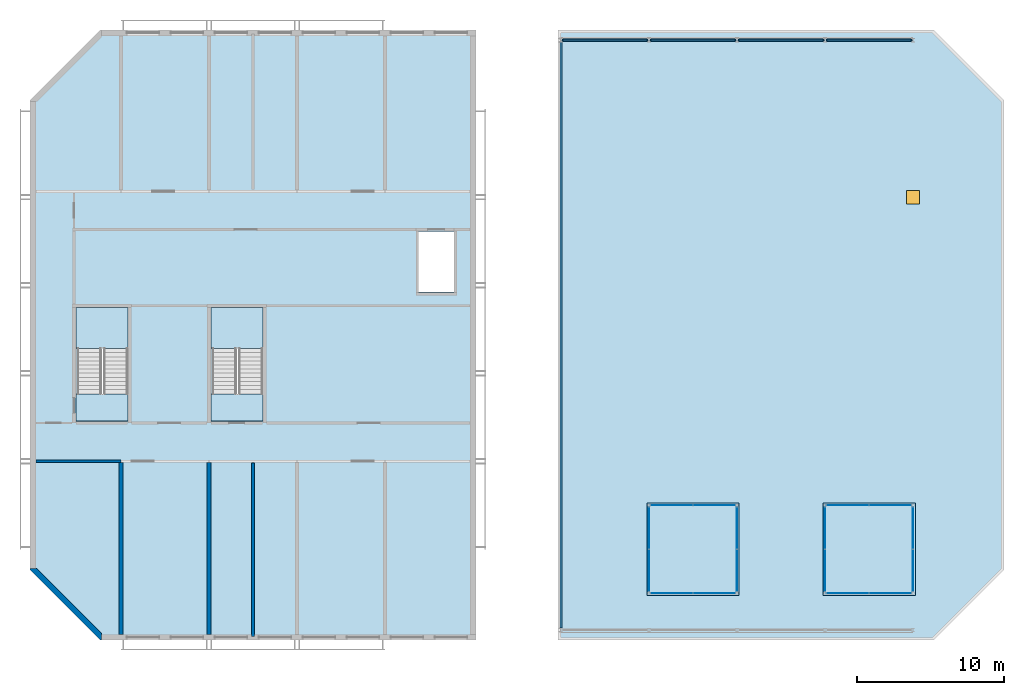
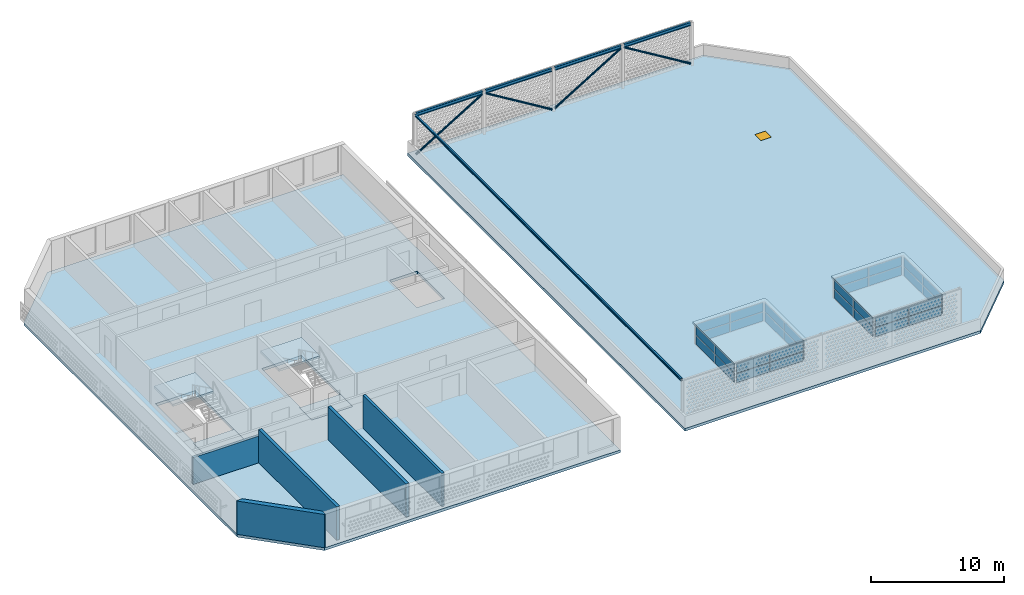
# One storey, part 7 of 18: 32 plates, 8 slabs, 5 beams, 5 walls, 4 members, 1 window, 1 opening, 10 elements without a shape of their own.
"""IFC4 building model written with IfcOpenShell, lengths in metres."""

from ifc_helpers import new_model, si_unit, direction, frame, frame_2d, origin, origin_2d, place, context, subcontext, project, spatial, polyline, rectangle, hollow_circle, i_section, outline, extrude, source, transform, mapped, material, layer, layer_set, material_profile, profile_set, type_object, element, fill, aggregate, save


model = new_model("IFC4")

# Units and contexts
model_context = context("Model", 3, precision=1e-05, world=origin(), true_north=direction((0.0, 1.0)))
body_context = subcontext(model_context, "Body", "Model", "MODEL_VIEW")
ifc_project = project(units=[si_unit("LENGTHUNIT", "METRE"), si_unit("AREAUNIT", "SQUARE_METRE"), si_unit("VOLUMEUNIT", "CUBIC_METRE"), si_unit("PLANEANGLEUNIT", "RADIAN"), si_unit("MASSUNIT", "GRAM", prefix="KILO")], contexts=[model_context])

# Site, building, storey
site_placement = place(None, origin())
site = spatial("IfcSite", under=ifc_project, at=site_placement, CompositionType="ELEMENT")
building_placement = place(site_placement, origin())
building = spatial("IfcBuilding", under=site, at=building_placement, Name="Poui Terraces", CompositionType="ELEMENT")
storey_placement = place(building_placement, frame((0.0, 0.0, 285.60009765625)))
storey = spatial("IfcBuildingStorey", under=building, at=storey_placement, Name="L79 CROWN", CompositionType="ELEMENT", Elevation=285.60009765625)

# Members
ifc_material_1 = material(Name="Steel Grade 350 MPa", Category="steel")
ifc_material_profile_1 = material_profile(ifc_material_1, hollow_circle(Radius=0.084228515625, WallThickness=0.007080078125, at=origin_2d()), Name="168.3x7.1 CHS")
ifc_profile_set_1 = profile_set([ifc_material_profile_1], Name="Steel Grade 350 MPa")
member_type = type_object("IfcMemberType", Name="SCREEN FRAME BRACE 168.3x7.1 CHS", PredefinedType="BRACE", material=ifc_profile_set_1)
for number, where, z_axis, x_axis, name in (
    (1, (54.126953125, 40.699951171875, 0.199951171875), (0.854525101258, 0.0, 0.519410099363), (0.0, 1.0, 0.0), "SCREEN FRAME BRACE N1"),
    (2, (65.873046875, 40.699951171875, 0.199951171875), (-0.854525101258, 0.0, 0.519410099363), (0.0, -1.0, 0.0), "SCREEN FRAME BRACE N2"),
    (3, (66.126953125, 40.699951171875, 0.199951171875), (0.854525101258, 0.0, 0.519410099363), (0.0, 1.0, 0.0), "SCREEN FRAME BRACE N3"),
    (4, (77.873046875, 40.699951171875, 0.199951171875), (-0.854525101258, 0.0, 0.519410099363), (0.0, -1.0, 0.0), "SCREEN FRAME BRACE N4"),
):
    element("IfcMember", number, at=place(storey_placement, frame(where, z_axis=z_axis, x_axis=x_axis)), inside=storey, type_object=member_type, Name=name, PredefinedType="BRACE", context=body_context, shape_type="SweptSolid", body=[
        extrude(hollow_circle(Radius=0.084228515625, WallThickness=0.007080078125, at=origin_2d()), origin(), (0.0, 0.0, 1.0), 6.724365234375),
    ])

# Beams
ifc_material_2 = material(Name="Steel Grade 300 MPa", Category="steel")
ifc_material_profile_2 = material_profile(ifc_material_2, i_section(OverallWidth=0.166015625, OverallDepth=0.30712890625, WebThickness=0.006591796875, FlangeThickness=0.01171875, FilletRadius=0.011474609375, at=origin_2d()), Name="310UB46.2")
ifc_profile_set_2 = profile_set([ifc_material_profile_2], Name="Steel Grade 300 MPa")
beam_type_1 = type_object("IfcBeamType", Name="SCREEN FRAME EDGE BEAM 310UB46.2", PredefinedType="BEAM", material=ifc_profile_set_2)
shared_shape_1 = source(origin(), body_context, "Body", "SweptSolid", [
    extrude(i_section(OverallWidth=0.166015625, OverallDepth=0.30712890625, WebThickness=0.006591796875, FlangeThickness=0.01171875, FilletRadius=0.011474609375, at=origin_2d()), origin(), (0.0, 0.0, 1.0), 5.74609375),
])
for number, where, z_axis, x_axis, name in (
    (5, (54.126953125, 40.699951171875, 3.84619140625), (1.0, 0.0, 0.0), (0.0, 1.0, 0.0), "SCREEN FRAME EDGE BEAM N1"),
    (6, (60.126953125, 40.699951171875, 3.84619140625), (1.0, 0.0, 0.0), (0.0, 1.0, 0.0), "SCREEN FRAME EDGE BEAM N2"),
    (7, (66.126953125, 40.699951171875, 3.84619140625), (1.0, 0.0, 0.0), (0.0, 1.0, 0.0), "SCREEN FRAME EDGE BEAM N3"),
    (8, (72.126953125, 40.699951171875, 3.84619140625), (1.0, 0.0, 0.0), (0.0, 1.0, 0.0), "SCREEN FRAME EDGE BEAM N4"),
):
    element("IfcBeam", number, at=place(storey_placement, frame(where, z_axis=z_axis, x_axis=x_axis)), inside=storey, type_object=beam_type_1, Name=name, PredefinedType="BEAM", context=body_context, shape_type="MappedRepresentation", body=[
        mapped(shared_shape_1, transform((0.0, 0.0, 0.0))),
    ])
ifc_material_profile_3 = material_profile(ifc_material_2, i_section(OverallWidth=0.134033203125, OverallDepth=0.20703125, WebThickness=0.00634765625, FlangeThickness=0.009521484375, FilletRadius=0.0087890625, at=origin_2d()), Name="200UB29.8")
ifc_profile_set_3 = profile_set([ifc_material_profile_3], Name="Steel Grade 300 MPa")
beam_type_2 = type_object("IfcBeamType", Name="SCREEN FRAME END BEAM 200UB29.8", PredefinedType="BEAM", material=ifc_profile_set_3)
shared_shape_2 = source(origin(), body_context, "Body", "SweptSolid", [
    extrude(i_section(OverallWidth=0.134033203125, OverallDepth=0.20703125, WebThickness=0.00634765625, FlangeThickness=0.009521484375, FilletRadius=0.0087890625, at=origin_2d()), origin(), (0.0, 0.0, 1.0), 39.946044921875),
])
beam_placement = place(storey_placement, frame((54.0, 0.626953125, 3.896484375), z_axis=(0.0, 1.0, 0.0), x_axis=(-1.0, 0.0, 0.0)))
element("IfcBeam", 9, at=beam_placement, inside=storey, type_object=beam_type_2, Name="SCREEN FRAME END BEAM 10", PredefinedType="BEAM", context=body_context, shape_type="MappedRepresentation", body=[
    mapped(shared_shape_2, transform((0.0, 0.0, 0.0))),
])

# Curtain wall, plates
ifc_material_3 = material(Name="Clear glass", Category="glass")
ifc_layer_1 = layer(ifc_material_3, 0.1201171875)
ifc_layer_set_1 = layer_set([ifc_layer_1], Name="Clear glass")
curtain_wall_type = type_object("IfcCurtainWallType", Name="CURTAIN WALL CW-F LANTERN GLAZING", PredefinedType="NOTDEFINED", material=ifc_layer_set_1)
curtain_wall_1_placement = place(storey_placement, origin())
curtain_wall_1 = element("IfcCurtainWall", 10, at=curtain_wall_1_placement, inside=storey, type_object=curtain_wall_type, Name="CW-F LANTERN GLAZING", PredefinedType="NOTDEFINED")
ifc_layer_2 = layer(ifc_material_3, 0.02392578125)
ifc_layer_set_2 = layer_set([ifc_layer_2], Name="Clear glass")
plate_type = type_object("IfcPlateType", Name="CW-F GLASS PANEL 24", PredefinedType="CURTAIN_PANEL", material=ifc_layer_set_2)
plate_1_placement = place(storey_placement, frame((61.550048828125, 3.0, 0.0498046875), z_axis=(0.0, 0.0, 1.0), x_axis=(1.0, 0.0, 0.0)))
plate_1 = element("IfcPlate", 11, at=plate_1_placement, type_object=plate_type, Name="CW-F panel 1.1", PredefinedType="CURTAIN_PANEL", context=body_context, shape_type="SweptSolid", body=[
    extrude(rectangle(XDim=2.85009765625, YDim=0.02392578125, at=origin_2d()), origin(), (0.0, 0.0, 1.0), 0.824951171875),
])
plate_2_placement = place(storey_placement, frame((61.550048828125, 3.0, 0.9248046875), z_axis=(0.0, 0.0, 1.0), x_axis=(1.0, 0.0, 0.0)))
plate_2 = element("IfcPlate", 12, at=plate_2_placement, type_object=plate_type, Name="CW-F panel 1.2", PredefinedType="CURTAIN_PANEL", context=body_context, shape_type="SweptSolid", body=[
    extrude(rectangle(XDim=2.85009765625, YDim=0.02392578125, at=origin_2d()), origin(), (0.0, 0.0, 1.0), 0.824951171875),
])
plate_3_placement = place(storey_placement, frame((64.449951171875, 3.0, 0.0498046875), z_axis=(0.0, 0.0, 1.0), x_axis=(1.0, 0.0, 0.0)))
plate_3 = element("IfcPlate", 13, at=plate_3_placement, type_object=plate_type, Name="CW-F panel 2.1", PredefinedType="CURTAIN_PANEL", context=body_context, shape_type="SweptSolid", body=[
    extrude(rectangle(XDim=2.85009765625, YDim=0.02392578125, at=origin_2d()), origin(), (0.0, 0.0, 1.0), 0.824951171875),
])
plate_4_placement = place(storey_placement, frame((64.449951171875, 3.0, 0.9248046875), z_axis=(0.0, 0.0, 1.0), x_axis=(1.0, 0.0, 0.0)))
plate_4 = element("IfcPlate", 14, at=plate_4_placement, type_object=plate_type, Name="CW-F panel 2.2", PredefinedType="CURTAIN_PANEL", context=body_context, shape_type="SweptSolid", body=[
    extrude(rectangle(XDim=2.85009765625, YDim=0.02392578125, at=origin_2d()), origin(), (0.0, 0.0, 1.0), 0.824951171875),
])
aggregate(curtain_wall_1, [plate_1, plate_2, plate_3, plate_4])

curtain_wall_2_placement = place(storey_placement, origin())
curtain_wall_2 = element("IfcCurtainWall", 15, at=curtain_wall_2_placement, inside=storey, type_object=curtain_wall_type, Name="CW-F LANTERN GLAZING", PredefinedType="NOTDEFINED")
plate_5_placement = place(storey_placement, frame((64.449951171875, 9.0, 0.0498046875), z_axis=(0.0, 0.0, 1.0), x_axis=(-1.0, 0.0, 0.0)))
plate_5 = element("IfcPlate", 16, at=plate_5_placement, type_object=plate_type, Name="CW-F panel 1.1", PredefinedType="CURTAIN_PANEL", context=body_context, shape_type="SweptSolid", body=[
    extrude(rectangle(XDim=2.85009765625, YDim=0.02392578125, at=origin_2d()), origin(), (0.0, 0.0, 1.0), 0.824951171875),
])
plate_6_placement = place(storey_placement, frame((64.449951171875, 9.0, 0.9248046875), z_axis=(0.0, 0.0, 1.0), x_axis=(-1.0, 0.0, 0.0)))
plate_6 = element("IfcPlate", 17, at=plate_6_placement, type_object=plate_type, Name="CW-F panel 1.2", PredefinedType="CURTAIN_PANEL", context=body_context, shape_type="SweptSolid", body=[
    extrude(rectangle(XDim=2.85009765625, YDim=0.02392578125, at=origin_2d()), origin(), (0.0, 0.0, 1.0), 0.824951171875),
])
plate_7_placement = place(storey_placement, frame((61.550048828125, 9.0, 0.0498046875), z_axis=(0.0, 0.0, 1.0), x_axis=(-1.0, 0.0, 0.0)))
plate_7 = element("IfcPlate", 18, at=plate_7_placement, type_object=plate_type, Name="CW-F panel 2.1", PredefinedType="CURTAIN_PANEL", context=body_context, shape_type="SweptSolid", body=[
    extrude(rectangle(XDim=2.85009765625, YDim=0.02392578125, at=origin_2d()), origin(), (0.0, 0.0, 1.0), 0.824951171875),
])
plate_8_placement = place(storey_placement, frame((61.550048828125, 9.0, 0.9248046875), z_axis=(0.0, 0.0, 1.0), x_axis=(-1.0, 0.0, 0.0)))
plate_8 = element("IfcPlate", 19, at=plate_8_placement, type_object=plate_type, Name="CW-F panel 2.2", PredefinedType="CURTAIN_PANEL", context=body_context, shape_type="SweptSolid", body=[
    extrude(rectangle(XDim=2.85009765625, YDim=0.02392578125, at=origin_2d()), origin(), (0.0, 0.0, 1.0), 0.824951171875),
])
aggregate(curtain_wall_2, [plate_5, plate_6, plate_7, plate_8])

curtain_wall_3_placement = place(storey_placement, origin())
curtain_wall_3 = element("IfcCurtainWall", 20, at=curtain_wall_3_placement, inside=storey, type_object=curtain_wall_type, Name="CW-F LANTERN GLAZING", PredefinedType="NOTDEFINED")
plate_9_placement = place(storey_placement, frame((66.0, 4.550048828125, 0.0498046875), z_axis=(0.0, 0.0, 1.0), x_axis=(0.0, 1.0, 0.0)))
plate_9 = element("IfcPlate", 21, at=plate_9_placement, type_object=plate_type, Name="CW-F panel 1.1", PredefinedType="CURTAIN_PANEL", context=body_context, shape_type="SweptSolid", body=[
    extrude(rectangle(XDim=2.85009765625, YDim=0.02392578125, at=origin_2d()), origin(), (0.0, 0.0, 1.0), 0.824951171875),
])
plate_10_placement = place(storey_placement, frame((66.0, 4.550048828125, 0.9248046875), z_axis=(0.0, 0.0, 1.0), x_axis=(0.0, 1.0, 0.0)))
plate_10 = element("IfcPlate", 22, at=plate_10_placement, type_object=plate_type, Name="CW-F panel 1.2", PredefinedType="CURTAIN_PANEL", context=body_context, shape_type="SweptSolid", body=[
    extrude(rectangle(XDim=2.85009765625, YDim=0.02392578125, at=origin_2d()), origin(), (0.0, 0.0, 1.0), 0.824951171875),
])
plate_11_placement = place(storey_placement, frame((66.0, 7.449951171875, 0.0498046875), z_axis=(0.0, 0.0, 1.0), x_axis=(0.0, 1.0, 0.0)))
plate_11 = element("IfcPlate", 23, at=plate_11_placement, type_object=plate_type, Name="CW-F panel 2.1", PredefinedType="CURTAIN_PANEL", context=body_context, shape_type="SweptSolid", body=[
    extrude(rectangle(XDim=2.85009765625, YDim=0.02392578125, at=origin_2d()), origin(), (0.0, 0.0, 1.0), 0.824951171875),
])
plate_12_placement = place(storey_placement, frame((66.0, 7.449951171875, 0.9248046875), z_axis=(0.0, 0.0, 1.0), x_axis=(0.0, 1.0, 0.0)))
plate_12 = element("IfcPlate", 24, at=plate_12_placement, type_object=plate_type, Name="CW-F panel 2.2", PredefinedType="CURTAIN_PANEL", context=body_context, shape_type="SweptSolid", body=[
    extrude(rectangle(XDim=2.85009765625, YDim=0.02392578125, at=origin_2d()), origin(), (0.0, 0.0, 1.0), 0.824951171875),
])
aggregate(curtain_wall_3, [plate_9, plate_10, plate_11, plate_12])

curtain_wall_4_placement = place(storey_placement, origin())
curtain_wall_4 = element("IfcCurtainWall", 25, at=curtain_wall_4_placement, inside=storey, type_object=curtain_wall_type, Name="CW-F LANTERN GLAZING", PredefinedType="NOTDEFINED")
plate_13_placement = place(storey_placement, frame((60.0, 7.449951171875, 0.0498046875), z_axis=(0.0, 0.0, 1.0), x_axis=(0.0, -1.0, 0.0)))
plate_13 = element("IfcPlate", 26, at=plate_13_placement, type_object=plate_type, Name="CW-F panel 1.1", PredefinedType="CURTAIN_PANEL", context=body_context, shape_type="SweptSolid", body=[
    extrude(rectangle(XDim=2.85009765625, YDim=0.02392578125, at=origin_2d()), origin(), (0.0, 0.0, 1.0), 0.824951171875),
])
plate_14_placement = place(storey_placement, frame((60.0, 7.449951171875, 0.9248046875), z_axis=(0.0, 0.0, 1.0), x_axis=(0.0, -1.0, 0.0)))
plate_14 = element("IfcPlate", 27, at=plate_14_placement, type_object=plate_type, Name="CW-F panel 1.2", PredefinedType="CURTAIN_PANEL", context=body_context, shape_type="SweptSolid", body=[
    extrude(rectangle(XDim=2.85009765625, YDim=0.02392578125, at=origin_2d()), origin(), (0.0, 0.0, 1.0), 0.824951171875),
])
plate_15_placement = place(storey_placement, frame((60.0, 4.550048828125, 0.0498046875), z_axis=(0.0, 0.0, 1.0), x_axis=(0.0, -1.0, 0.0)))
plate_15 = element("IfcPlate", 28, at=plate_15_placement, type_object=plate_type, Name="CW-F panel 2.1", PredefinedType="CURTAIN_PANEL", context=body_context, shape_type="SweptSolid", body=[
    extrude(rectangle(XDim=2.85009765625, YDim=0.02392578125, at=origin_2d()), origin(), (0.0, 0.0, 1.0), 0.824951171875),
])
plate_16_placement = place(storey_placement, frame((60.0, 4.550048828125, 0.9248046875), z_axis=(0.0, 0.0, 1.0), x_axis=(0.0, -1.0, 0.0)))
plate_16 = element("IfcPlate", 29, at=plate_16_placement, type_object=plate_type, Name="CW-F panel 2.2", PredefinedType="CURTAIN_PANEL", context=body_context, shape_type="SweptSolid", body=[
    extrude(rectangle(XDim=2.85009765625, YDim=0.02392578125, at=origin_2d()), origin(), (0.0, 0.0, 1.0), 0.824951171875),
])
aggregate(curtain_wall_4, [plate_13, plate_14, plate_15, plate_16])

curtain_wall_5_placement = place(storey_placement, origin())
curtain_wall_5 = element("IfcCurtainWall", 30, at=curtain_wall_5_placement, inside=storey, type_object=curtain_wall_type, Name="CW-F LANTERN GLAZING", PredefinedType="NOTDEFINED")
plate_17_placement = place(storey_placement, frame((73.550048828125, 3.0, 0.0498046875), z_axis=(0.0, 0.0, 1.0), x_axis=(1.0, 0.0, 0.0)))
plate_17 = element("IfcPlate", 31, at=plate_17_placement, type_object=plate_type, Name="CW-F panel 1.1", PredefinedType="CURTAIN_PANEL", context=body_context, shape_type="SweptSolid", body=[
    extrude(rectangle(XDim=2.85009765625, YDim=0.02392578125, at=origin_2d()), origin(), (0.0, 0.0, 1.0), 0.824951171875),
])
plate_18_placement = place(storey_placement, frame((73.550048828125, 3.0, 0.9248046875), z_axis=(0.0, 0.0, 1.0), x_axis=(1.0, 0.0, 0.0)))
plate_18 = element("IfcPlate", 32, at=plate_18_placement, type_object=plate_type, Name="CW-F panel 1.2", PredefinedType="CURTAIN_PANEL", context=body_context, shape_type="SweptSolid", body=[
    extrude(rectangle(XDim=2.85009765625, YDim=0.02392578125, at=origin_2d()), origin(), (0.0, 0.0, 1.0), 0.824951171875),
])
plate_19_placement = place(storey_placement, frame((76.449951171875, 3.0, 0.0498046875), z_axis=(0.0, 0.0, 1.0), x_axis=(1.0, 0.0, 0.0)))
plate_19 = element("IfcPlate", 33, at=plate_19_placement, type_object=plate_type, Name="CW-F panel 2.1", PredefinedType="CURTAIN_PANEL", context=body_context, shape_type="SweptSolid", body=[
    extrude(rectangle(XDim=2.85009765625, YDim=0.02392578125, at=origin_2d()), origin(), (0.0, 0.0, 1.0), 0.824951171875),
])
plate_20_placement = place(storey_placement, frame((76.449951171875, 3.0, 0.9248046875), z_axis=(0.0, 0.0, 1.0), x_axis=(1.0, 0.0, 0.0)))
plate_20 = element("IfcPlate", 34, at=plate_20_placement, type_object=plate_type, Name="CW-F panel 2.2", PredefinedType="CURTAIN_PANEL", context=body_context, shape_type="SweptSolid", body=[
    extrude(rectangle(XDim=2.85009765625, YDim=0.02392578125, at=origin_2d()), origin(), (0.0, 0.0, 1.0), 0.824951171875),
])
aggregate(curtain_wall_5, [plate_17, plate_18, plate_19, plate_20])

curtain_wall_6_placement = place(storey_placement, origin())
curtain_wall_6 = element("IfcCurtainWall", 35, at=curtain_wall_6_placement, inside=storey, type_object=curtain_wall_type, Name="CW-F LANTERN GLAZING", PredefinedType="NOTDEFINED")
plate_21_placement = place(storey_placement, frame((76.449951171875, 9.0, 0.0498046875), z_axis=(0.0, 0.0, 1.0), x_axis=(-1.0, 0.0, 0.0)))
plate_21 = element("IfcPlate", 36, at=plate_21_placement, type_object=plate_type, Name="CW-F panel 1.1", PredefinedType="CURTAIN_PANEL", context=body_context, shape_type="SweptSolid", body=[
    extrude(rectangle(XDim=2.85009765625, YDim=0.02392578125, at=origin_2d()), origin(), (0.0, 0.0, 1.0), 0.824951171875),
])
plate_22_placement = place(storey_placement, frame((76.449951171875, 9.0, 0.9248046875), z_axis=(0.0, 0.0, 1.0), x_axis=(-1.0, 0.0, 0.0)))
plate_22 = element("IfcPlate", 37, at=plate_22_placement, type_object=plate_type, Name="CW-F panel 1.2", PredefinedType="CURTAIN_PANEL", context=body_context, shape_type="SweptSolid", body=[
    extrude(rectangle(XDim=2.85009765625, YDim=0.02392578125, at=origin_2d()), origin(), (0.0, 0.0, 1.0), 0.824951171875),
])
plate_23_placement = place(storey_placement, frame((73.550048828125, 9.0, 0.0498046875), z_axis=(0.0, 0.0, 1.0), x_axis=(-1.0, 0.0, 0.0)))
plate_23 = element("IfcPlate", 38, at=plate_23_placement, type_object=plate_type, Name="CW-F panel 2.1", PredefinedType="CURTAIN_PANEL", context=body_context, shape_type="SweptSolid", body=[
    extrude(rectangle(XDim=2.85009765625, YDim=0.02392578125, at=origin_2d()), origin(), (0.0, 0.0, 1.0), 0.824951171875),
])
plate_24_placement = place(storey_placement, frame((73.550048828125, 9.0, 0.9248046875), z_axis=(0.0, 0.0, 1.0), x_axis=(-1.0, 0.0, 0.0)))
plate_24 = element("IfcPlate", 39, at=plate_24_placement, type_object=plate_type, Name="CW-F panel 2.2", PredefinedType="CURTAIN_PANEL", context=body_context, shape_type="SweptSolid", body=[
    extrude(rectangle(XDim=2.85009765625, YDim=0.02392578125, at=origin_2d()), origin(), (0.0, 0.0, 1.0), 0.824951171875),
])
aggregate(curtain_wall_6, [plate_21, plate_22, plate_23, plate_24])

curtain_wall_7_placement = place(storey_placement, origin())
curtain_wall_7 = element("IfcCurtainWall", 40, at=curtain_wall_7_placement, inside=storey, type_object=curtain_wall_type, Name="CW-F LANTERN GLAZING", PredefinedType="NOTDEFINED")
plate_25_placement = place(storey_placement, frame((78.0, 4.550048828125, 0.0498046875), z_axis=(0.0, 0.0, 1.0), x_axis=(0.0, 1.0, 0.0)))
plate_25 = element("IfcPlate", 41, at=plate_25_placement, type_object=plate_type, Name="CW-F panel 1.1", PredefinedType="CURTAIN_PANEL", context=body_context, shape_type="SweptSolid", body=[
    extrude(rectangle(XDim=2.85009765625, YDim=0.02392578125, at=origin_2d()), origin(), (0.0, 0.0, 1.0), 0.824951171875),
])
plate_26_placement = place(storey_placement, frame((78.0, 4.550048828125, 0.9248046875), z_axis=(0.0, 0.0, 1.0), x_axis=(0.0, 1.0, 0.0)))
plate_26 = element("IfcPlate", 42, at=plate_26_placement, type_object=plate_type, Name="CW-F panel 1.2", PredefinedType="CURTAIN_PANEL", context=body_context, shape_type="SweptSolid", body=[
    extrude(rectangle(XDim=2.85009765625, YDim=0.02392578125, at=origin_2d()), origin(), (0.0, 0.0, 1.0), 0.824951171875),
])
plate_27_placement = place(storey_placement, frame((78.0, 7.449951171875, 0.0498046875), z_axis=(0.0, 0.0, 1.0), x_axis=(0.0, 1.0, 0.0)))
plate_27 = element("IfcPlate", 43, at=plate_27_placement, type_object=plate_type, Name="CW-F panel 2.1", PredefinedType="CURTAIN_PANEL", context=body_context, shape_type="SweptSolid", body=[
    extrude(rectangle(XDim=2.85009765625, YDim=0.02392578125, at=origin_2d()), origin(), (0.0, 0.0, 1.0), 0.824951171875),
])
plate_28_placement = place(storey_placement, frame((78.0, 7.449951171875, 0.9248046875), z_axis=(0.0, 0.0, 1.0), x_axis=(0.0, 1.0, 0.0)))
plate_28 = element("IfcPlate", 44, at=plate_28_placement, type_object=plate_type, Name="CW-F panel 2.2", PredefinedType="CURTAIN_PANEL", context=body_context, shape_type="SweptSolid", body=[
    extrude(rectangle(XDim=2.85009765625, YDim=0.02392578125, at=origin_2d()), origin(), (0.0, 0.0, 1.0), 0.824951171875),
])
aggregate(curtain_wall_7, [plate_25, plate_26, plate_27, plate_28])

curtain_wall_8_placement = place(storey_placement, origin())
curtain_wall_8 = element("IfcCurtainWall", 45, at=curtain_wall_8_placement, inside=storey, type_object=curtain_wall_type, Name="CW-F LANTERN GLAZING", PredefinedType="NOTDEFINED")
plate_29_placement = place(storey_placement, frame((72.0, 7.449951171875, 0.0498046875), z_axis=(0.0, 0.0, 1.0), x_axis=(0.0, -1.0, 0.0)))
plate_29 = element("IfcPlate", 46, at=plate_29_placement, type_object=plate_type, Name="CW-F panel 1.1", PredefinedType="CURTAIN_PANEL", context=body_context, shape_type="SweptSolid", body=[
    extrude(rectangle(XDim=2.85009765625, YDim=0.02392578125, at=origin_2d()), origin(), (0.0, 0.0, 1.0), 0.824951171875),
])
plate_30_placement = place(storey_placement, frame((72.0, 7.449951171875, 0.9248046875), z_axis=(0.0, 0.0, 1.0), x_axis=(0.0, -1.0, 0.0)))
plate_30 = element("IfcPlate", 47, at=plate_30_placement, type_object=plate_type, Name="CW-F panel 1.2", PredefinedType="CURTAIN_PANEL", context=body_context, shape_type="SweptSolid", body=[
    extrude(rectangle(XDim=2.85009765625, YDim=0.02392578125, at=origin_2d()), origin(), (0.0, 0.0, 1.0), 0.824951171875),
])
plate_31_placement = place(storey_placement, frame((72.0, 4.550048828125, 0.0498046875), z_axis=(0.0, 0.0, 1.0), x_axis=(0.0, -1.0, 0.0)))
plate_31 = element("IfcPlate", 48, at=plate_31_placement, type_object=plate_type, Name="CW-F panel 2.1", PredefinedType="CURTAIN_PANEL", context=body_context, shape_type="SweptSolid", body=[
    extrude(rectangle(XDim=2.85009765625, YDim=0.02392578125, at=origin_2d()), origin(), (0.0, 0.0, 1.0), 0.824951171875),
])
plate_32_placement = place(storey_placement, frame((72.0, 4.550048828125, 0.9248046875), z_axis=(0.0, 0.0, 1.0), x_axis=(0.0, -1.0, 0.0)))
plate_32 = element("IfcPlate", 49, at=plate_32_placement, type_object=plate_type, Name="CW-F panel 2.2", PredefinedType="CURTAIN_PANEL", context=body_context, shape_type="SweptSolid", body=[
    extrude(rectangle(XDim=2.85009765625, YDim=0.02392578125, at=origin_2d()), origin(), (0.0, 0.0, 1.0), 0.824951171875),
])
aggregate(curtain_wall_8, [plate_29, plate_30, plate_31, plate_32])

# Stair, slabs
ifc_material_4 = material(Name="Concrete 50 MPa", Category="concrete")
stair_type = type_object("IfcStairType", Name="EXIT STAIR 1650 50 MPA", PredefinedType="HALF_TURN_STAIR", material=ifc_material_4)
stair_1_placement = place(storey_placement, origin())
stair_1 = element("IfcStair", 50, at=stair_1_placement, inside=storey, type_object=stair_type, Name="L79 CROWN CORE STAIR WEST", PredefinedType="HALF_TURN_STAIR")
ifc_layer_3 = layer(ifc_material_4, 0.199951171875)
ifc_layer_set_3 = layer_set([ifc_layer_3], Name="Concrete 50 MPa")
slab_type_1 = type_object("IfcSlabType", Name="STAIR LANDING 200 50 MPA", PredefinedType="LANDING", material=ifc_layer_set_3)
slab_1_placement = place(storey_placement, frame((0.0, 0.0, 1.44970703125)))
slab_1 = element("IfcSlab", 51, at=slab_1_placement, type_object=slab_type_1, Name="ST-CW landing 1", PredefinedType="LANDING", context=body_context, shape_type="SweptSolid", body=[
    extrude(outline(polyline([(30.125, 19.679931640625), (33.675048828125, 19.679931640625), (33.675048828125, 22.47509765625), (30.125, 22.47509765625), (30.125, 19.679931640625)])), origin(), (0.0, 0.0, 1.0), 0.2001953125),
])
slab_2_placement = place(storey_placement, frame((0.0, 0.0, -0.2001953125)))
slab_2 = element("IfcSlab", 52, at=slab_2_placement, type_object=slab_type_1, Name="ST-CW landing 2", PredefinedType="LANDING", context=body_context, shape_type="SweptSolid", body=[
    extrude(outline(polyline([(30.125, 14.75), (33.675048828125, 14.75), (33.675048828125, 16.60009765625), (30.125, 16.60009765625), (30.125, 14.75)])), origin(), (0.0, 0.0, 1.0), 0.2001953125),
])
aggregate(stair_1, [slab_1, slab_2])

stair_2_placement = place(storey_placement, origin())
stair_2 = element("IfcStair", 53, at=stair_2_placement, inside=storey, type_object=stair_type, Name="L79 CROWN TIP STAIR WEST", PredefinedType="HALF_TURN_STAIR")
slab_3_placement = place(storey_placement, frame((0.0, 0.0, 1.44970703125)))
slab_3 = element("IfcSlab", 54, at=slab_3_placement, type_object=slab_type_1, Name="ST-W landing 1", PredefinedType="LANDING", context=body_context, shape_type="SweptSolid", body=[
    extrude(outline(polyline([(20.925048828125, 19.679931640625), (24.47509765625, 19.679931640625), (24.47509765625, 22.47509765625), (20.925048828125, 22.47509765625), (20.925048828125, 19.679931640625)])), origin(), (0.0, 0.0, 1.0), 0.2001953125),
])
slab_4_placement = place(storey_placement, frame((0.0, 0.0, -0.2001953125)))
slab_4 = element("IfcSlab", 55, at=slab_4_placement, type_object=slab_type_1, Name="ST-W landing 2", PredefinedType="LANDING", context=body_context, shape_type="SweptSolid", body=[
    extrude(outline(polyline([(20.925048828125, 14.75), (24.47509765625, 14.75), (24.47509765625, 16.60009765625), (20.925048828125, 16.60009765625), (20.925048828125, 14.75)])), origin(), (0.0, 0.0, 1.0), 0.2001953125),
])
aggregate(stair_2, [slab_3, slab_4])

# Slab, opening, window
ifc_material_5 = material(Name="Concrete 40 MPa", Category="concrete")
ifc_layer_4 = layer(ifc_material_5, 0.25)
ifc_layer_set_4 = layer_set([ifc_layer_4], Name="Concrete 40 MPa")
slab_type_2 = type_object("IfcSlabType", Name="ROOF SLAB 250", PredefinedType="ROOF", material=ifc_layer_set_4)
shared_shape_3 = source(origin(), body_context, "Body", "SweptSolid", [
    extrude(outline(polyline([(0.0, 0.0), (25.599853515625, 0.0), (30.39990234375, 4.800048828125), (30.39990234375, 36.800048828125), (25.599853515625, 41.599853515625), (0.0, 41.599853515625), (0.0, 0.0)])), origin(), (0.0, 0.0, 1.0), 0.250244140625),
])
slab_5_placement = place(storey_placement, frame((53.800048828125, -0.199951171875, -0.250244140625)))
slab_5 = element("IfcSlab", 56, at=slab_5_placement, inside=storey, type_object=slab_type_2, Name="ROOF SLAB", PredefinedType="ROOF", context=body_context, shape_type="MappedRepresentation", body=[
    mapped(shared_shape_3, transform((0.0, 0.0, 0.0))),
])
opening_placement = place(slab_5_placement, frame((24.199951171875, 30.199951171875, -0.010009765625)))
opening = element("IfcOpeningElement", 57, at=opening_placement, cuts=slab_5, Name="Opening RH1", PredefinedType="OPENING", context=body_context, shape_type="SweptSolid", body=[
    extrude(rectangle(XDim=0.89990234375, YDim=0.89990234375, at=origin_2d()), origin(), (0.0, 0.0, 1.0), 0.27001953125),
])
ifc_material_6 = material(Name="Clear glass in aluminium frame", Category="aluminium")
window_type = type_object("IfcWindowType", Name="ROOF ACCESS HATCH 900X900", PartitioningType="SINGLE_PANEL", PredefinedType="SKYLIGHT", material=ifc_material_6)
window_placement = place(opening_placement, frame((0.0, 0.0, 0.2099609375)))
window = element("IfcWindow", 58, at=window_placement, inside=storey, type_object=window_type, Name="ROOF ACCESS HATCH", OverallHeight=0.89990234375, OverallWidth=0.89990234375, PartitioningType="SINGLE_PANEL", PredefinedType="SKYLIGHT", context=body_context, shape_type="SweptSolid", body=[
    extrude(rectangle(XDim=0.89990234375, YDim=0.89990234375, at=origin_2d()), origin(), (0.0, 0.0, 1.0), 0.050048828125),
])
fill(opening, window)

# Slabs
ifc_layer_5 = layer(ifc_material_5, 0.25)
ifc_layer_set_5 = layer_set([ifc_layer_5], Name="Concrete 40 MPa")
slab_type_3 = type_object("IfcSlabType", Name="FLOOR SLAB 250", PredefinedType="FLOOR", material=ifc_layer_set_5)
shared_shape_4 = source(origin(), body_context, "Body", "SweptSolid", [
    extrude(outline(polyline([(0.0, 0.0), (4.800048828125, -4.800048828125), (30.39990234375, -4.800048828125), (30.39990234375, 36.7998046875), (4.800048828125, 36.7998046875), (0.0, 32.0), (0.0, 0.0)]), holes=[polyline([(3.125, 10.14990234375), (3.125, 12.0), (3.224853515625, 12.0), (3.224853515625, 17.849853515625), (6.675048828125, 17.849853515625), (6.675048828125, 12.0), (6.675048828125, 10.14990234375), (3.125, 10.14990234375)]), polyline([(12.324951171875, 12.0), (12.425048828125, 12.0), (12.425048828125, 17.849853515625), (15.875, 17.849853515625), (15.875, 12.0), (15.875, 10.14990234375), (12.324951171875, 10.14990234375), (12.324951171875, 12.0)]), polyline([(28.89990234375, 23.0498046875), (28.89990234375, 18.949951171875), (26.5, 18.949951171875), (26.5, 23.0498046875), (28.89990234375, 23.0498046875)])]), origin(), (0.0, 0.0, 1.0), 0.250244140625),
])
slab_6_placement = place(storey_placement, frame((17.800048828125, 4.60009765625, -0.250244140625)))
element("IfcSlab", 59, at=slab_6_placement, inside=storey, type_object=slab_type_3, Name="FLOOR SLAB", PredefinedType="FLOOR", context=body_context, shape_type="MappedRepresentation", body=[
    mapped(shared_shape_4, transform((0.0, 0.0, 0.0))),
])
ifc_material_7 = material(Name="Precast concrete 40 MPa", Category="concrete")
ifc_layer_6 = layer(ifc_material_7, 0.179931640625)
ifc_layer_set_6 = layer_set([ifc_layer_6], Name="Precast concrete 40 MPa")
slab_type_4 = type_object("IfcSlabType", Name="LANTERN ROOF 180", PredefinedType="ROOF", material=ifc_layer_set_6)
shared_shape_5 = source(origin(), body_context, "Body", "SweptSolid", [
    extrude(outline(polyline([(0.0, 0.0), (0.0, 6.2998046875), (-6.2998046875, 6.2998046875), (-6.2998046875, 0.0), (0.0, 0.0)])), origin(), (0.0, 0.0, 1.0), 0.18017578125),
])
for number, where, name in (
    (60, (66.14990234375, 2.85009765625, 1.7998046875), "LANTERN ROOF"),
    (61, (78.14990234375, 2.85009765625, 1.7998046875), "LANTERN ROOF"),
):
    element("IfcSlab", number, at=place(storey_placement, frame(where)), inside=storey, type_object=slab_type_4, Name=name, PredefinedType="ROOF", context=body_context, shape_type="MappedRepresentation", body=[
        mapped(shared_shape_5, transform((0.0, 0.0, 0.0))),
    ])

# Walls
ifc_layer_7 = layer(ifc_material_4, 0.199951171875)
ifc_layer_set_7 = layer_set([ifc_layer_7], Name="Concrete 50 MPa")
wall_type_1 = type_object("IfcWallType", Name="CORRIDOR WALL 200 50MPa", PredefinedType="SHEAR", material=ifc_layer_set_7)
wall_1_placement = place(storey_placement, frame((18.199951171875, 12.0, 0.0), z_axis=(0.0, 0.0, 1.0), x_axis=(1.0, 0.0, 0.0)))
element("IfcWall", 62, at=wall_1_placement, inside=storey, type_object=wall_type_1, Name="CORRIDOR WALL LINE B BAY W1", PredefinedType="SHEAR", context=body_context, shape_type="SweptSolid", body=[
    extrude(rectangle(XDim=5.800048828125, YDim=0.199951171875, at=frame_2d((2.89990234375, 0.0))), origin(), (0.0, 0.0, 1.0), 2.449951171875),
])
ifc_layer_8 = layer(ifc_material_4, 0.25)
ifc_layer_set_8 = layer_set([ifc_layer_8], Name="Concrete 50 MPa")
wall_type_2 = type_object("IfcWallType", Name="CROSS WALL 250 50MPa", PredefinedType="SHEAR", material=ifc_layer_set_8)
for number, where, z_axis, x_axis, name in (
    (63, (24.0, 0.199951171875, 0.0), (0.0, 0.0, 1.0), (0.0, 1.0, 0.0), "CROSS WALL LINE 5 SOUTH"),
    (64, (30.0, 0.199951171875, 0.0), (0.0, 0.0, 1.0), (0.0, 1.0, 0.0), "CROSS WALL LINE 6 SOUTH"),
):
    element("IfcWall", number, at=place(storey_placement, frame(where, z_axis=z_axis, x_axis=x_axis)), inside=storey, type_object=wall_type_2, Name=name, PredefinedType="SHEAR", context=body_context, shape_type="SweptSolid", body=[
        extrude(rectangle(XDim=11.699951171875, YDim=0.25, at=frame_2d((5.85009765625, 0.0))), origin(), (0.0, 0.0, 1.0), 3.0498046875),
    ])
ifc_material_8 = material(Name="Fire-rated masonry wall", Category="masonry")
ifc_layer_9 = layer(ifc_material_8, 0.199951171875)
ifc_layer_set_9 = layer_set([ifc_layer_9], Name="Fire-rated masonry wall")
wall_type_3 = type_object("IfcWallType", Name="PLANT ROOM WALL 200", PredefinedType="PARTITIONING", material=ifc_layer_set_9)
wall_2_placement = place(storey_placement, frame((33.0, 0.06005859375, 0.0), z_axis=(0.0, 0.0, 1.0), x_axis=(0.0, 1.0, 0.0)))
element("IfcWall", 65, at=wall_2_placement, inside=storey, type_object=wall_type_3, Name="PLANT ROOM WALL 200", PredefinedType="PARTITIONING", context=body_context, shape_type="SweptSolid", body=[
    extrude(rectangle(XDim=11.829833984375, YDim=0.199951171875, at=frame_2d((5.9150390625, 0.0))), origin(), (0.0, 0.0, 1.0), 3.0498046875),
])
ifc_layer_10 = layer(ifc_material_7, 0.39990234375)
ifc_layer_set_10 = layer_set([ifc_layer_10], Name="Precast concrete 40 MPa")
wall_type_4 = type_object("IfcWallType", Name="TERRACOTTA CLAD CHAMFER WALL 400", PredefinedType="STANDARD", material=ifc_layer_set_10)
wall_3_placement = place(storey_placement, origin())
element("IfcWall", 66, at=wall_3_placement, inside=storey, type_object=wall_type_4, Name="CHAMFER WALL CH05", PredefinedType="STANDARD", context=body_context, shape_type="SweptSolid", body=[
    extrude(outline(polyline([(17.800048828125, 4.682861328125), (17.800048828125, 4.60009765625), (22.60009765625, -0.199951171875), (22.682861328125, -0.199951171875), (22.682861328125, 0.28271484375), (18.28271484375, 4.682861328125), (17.800048828125, 4.682861328125)])), origin(), (0.0, 0.0, 1.0), 3.0498046875),
])

save(model, "model.ifc")
